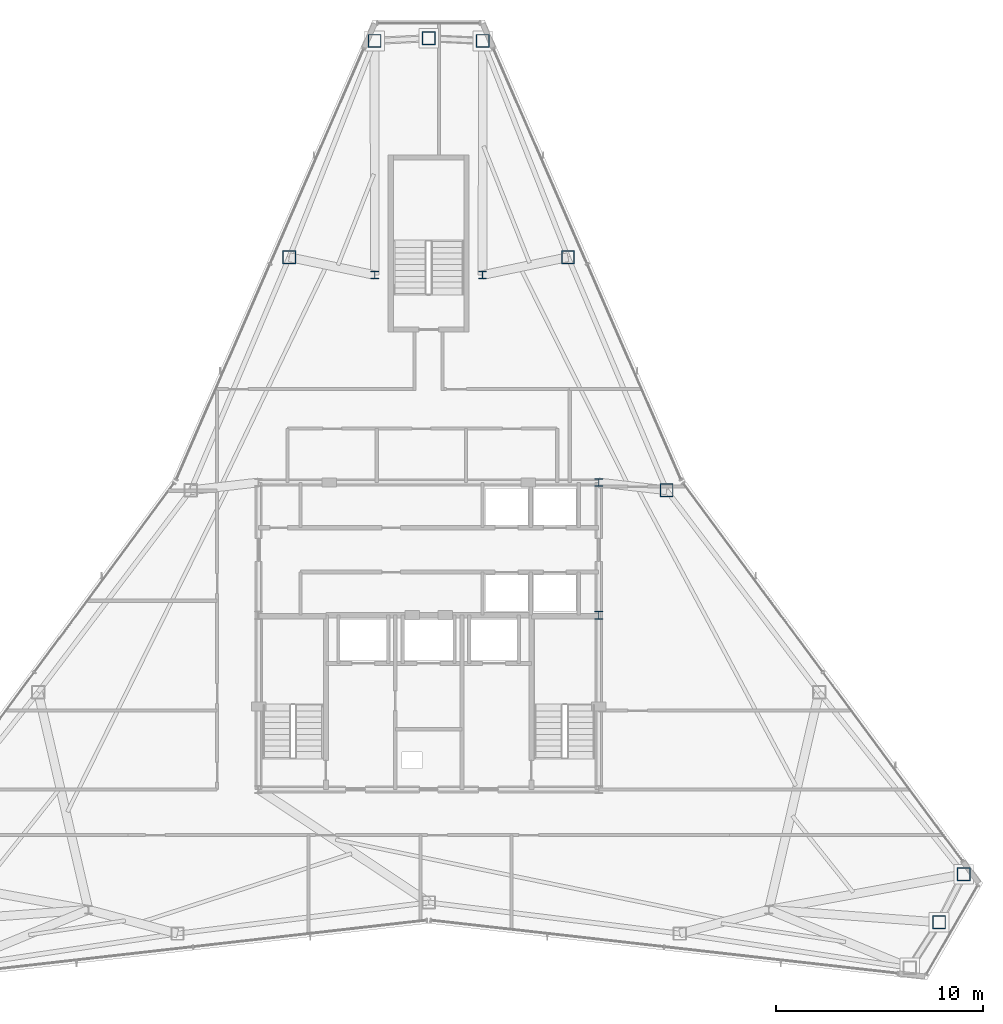
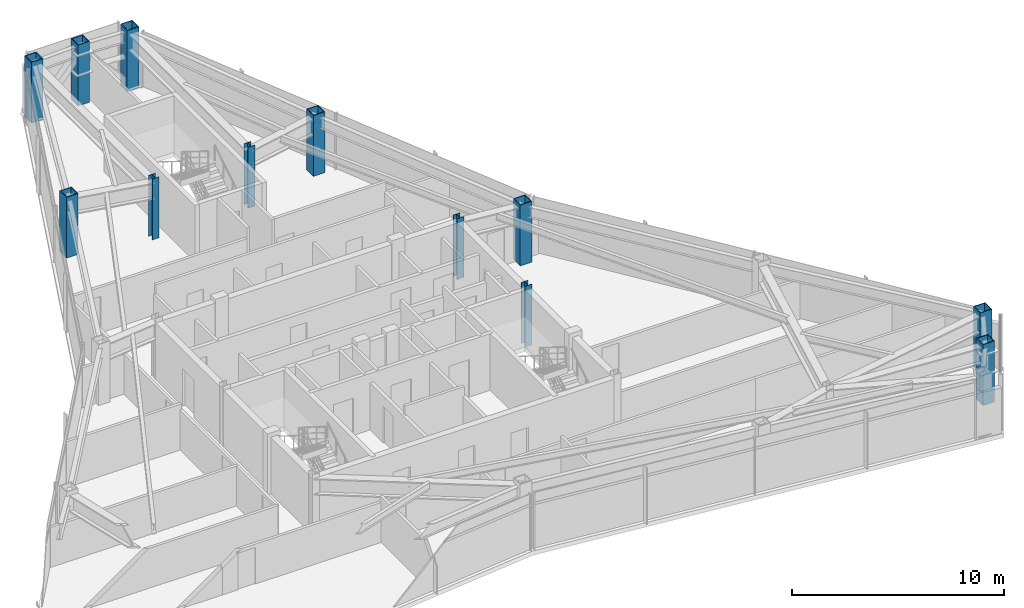
# One storey, part 2 of 12: 12 columns.
"""IFC4 building model written with IfcOpenShell, lengths in metres."""

from ifc_helpers import new_model, si_unit, direction, frame, origin, origin_2d, place, context, subcontext, project, spatial, hollow_rectangle, i_section, extrude, material, material_profile, profile_set, type_object, element, save


model = new_model("IFC4")

# Units and contexts
model_context = context("Model", 3, precision=1e-05, world=origin(), true_north=direction((0.0, 1.0)))
body_context = subcontext(model_context, "Body", "Model", "MODEL_VIEW")
ifc_project = project(units=[si_unit("LENGTHUNIT", "METRE"), si_unit("AREAUNIT", "SQUARE_METRE"), si_unit("VOLUMEUNIT", "CUBIC_METRE"), si_unit("PLANEANGLEUNIT", "RADIAN"), si_unit("MASSUNIT", "GRAM", prefix="KILO")], contexts=[model_context])

# Site, building, storey
site_placement = place(None, origin())
site = spatial("IfcSite", under=ifc_project, at=site_placement, CompositionType="ELEMENT")
building_placement = place(site_placement, origin())
building = spatial("IfcBuilding", under=site, at=building_placement, Name="Varakhsha Concourse Tower", CompositionType="ELEMENT")
storey_placement = place(building_placement, frame((0.0, 0.0, 276.0)))
storey = spatial("IfcBuildingStorey", under=building, at=storey_placement, Name="L78", CompositionType="ELEMENT", Elevation=276.0)

# Columns
ifc_material_1 = material(Name="Structural Steel ASTM A992 Grade 50", Category="steel")
ifc_material_profile_1 = material_profile(ifc_material_1, i_section(OverallWidth=0.3740234375, OverallDepth=0.3720703125, WebThickness=0.01611328125, FlangeThickness=0.02587890625, at=origin_2d()), Name="W14X132")
ifc_profile_set_1 = profile_set([ifc_material_profile_1], Name="Structural Steel ASTM A992 Grade 50")
column_type_1 = type_object("IfcColumnType", Name="CL-CORE-W14X132", PredefinedType="COLUMN", material=ifc_profile_set_1)
for number, where, z_axis, x_axis, name in (
    (1, (48.199951171875, 24.800048828125, 0.0), (0.0, 0.0, 1.0), (1.0, 0.0, 0.0), "L78 Core Column CC-ME"),
    (2, (48.199951171875, 31.199951171875, 0.0), (0.0, 0.0, 1.0), (1.0, 0.0, 0.0), "L78 Core Column CC-NE"),
    (3, (37.39990234375, 41.199951171875, 0.0), (0.0, 0.0, 1.0), (1.0, 0.0, 0.0), "L78 Core Column NS-W"),
    (4, (42.60009765625, 41.199951171875, 0.0), (0.0, 0.0, 1.0), (1.0, 0.0, 0.0), "L78 Core Column NS-E"),
):
    element("IfcColumn", number, at=place(storey_placement, frame(where, z_axis=z_axis, x_axis=x_axis)), inside=storey, type_object=column_type_1, Name=name, PredefinedType="COLUMN", context=body_context, shape_type="SweptSolid", body=[
        extrude(i_section(OverallWidth=0.3740234375, OverallDepth=0.3720703125, WebThickness=0.01611328125, FlangeThickness=0.02587890625, at=origin_2d()), origin(), (0.0, 0.0, 1.0), 3.5),
    ])
ifc_material_2 = material(Name="Structural Steel ASTM A572 Grade 50", Category="steel")
ifc_material_profile_2 = material_profile(ifc_material_2, hollow_rectangle(XDim=0.639892578125, YDim=0.639892578125, WallThickness=0.044921875, at=origin_2d()), Name="BOX 640x640x45")
ifc_profile_set_2 = profile_set([ifc_material_profile_2], Name="Structural Steel ASTM A572 Grade 50")
column_type_2 = type_object("IfcColumnType", Name="CL-TUBE-640", PredefinedType="COLUMN", material=ifc_profile_set_2)
for number, where, z_axis, x_axis, name in (
    (5, (42.607177734375, 52.489013671875, 0.0), (0.0, 0.0, 1.0), (1.0, 0.0, 0.0), "L78 Framed-Tube Column TC01"),
    (6, (40.0, 52.61669921875, 0.0), (0.0, 0.0, 1.0), (1.0, 0.0, 0.0), "L78 Framed-Tube Column TC02"),
    (7, (37.392822265625, 52.489013671875, 0.0), (0.0, 0.0, 1.0), (1.0, 0.0, 0.0), "L78 Framed-Tube Column TC03"),
    (8, (33.28271484375, 42.06201171875, 0.0), (0.0, 0.0, 1.0), (1.0, 0.0, 0.0), "L78 Framed-Tube Column TC04"),
    (9, (64.609619140625, 9.99169921875, 0.0), (0.0, 0.0, 1.0), (1.0, 0.0, 0.0), "L78 Framed-Tube Column TC14"),
    (10, (65.802490234375, 12.313232421875, 0.0), (0.0, 0.0, 1.0), (1.0, 0.0, 0.0), "L78 Framed-Tube Column TC15"),
    (11, (51.471923828125, 30.8232421875, 0.0), (0.0, 0.0, 1.0), (1.0, 0.0, 0.0), "L78 Framed-Tube Column TC17"),
    (12, (46.71728515625, 42.06201171875, 0.0), (0.0, 0.0, 1.0), (1.0, 0.0, 0.0), "L78 Framed-Tube Column TC18"),
):
    element("IfcColumn", number, at=place(storey_placement, frame(where, z_axis=z_axis, x_axis=x_axis)), inside=storey, type_object=column_type_2, Name=name, PredefinedType="COLUMN", context=body_context, shape_type="SweptSolid", body=[
        extrude(hollow_rectangle(XDim=0.639892578125, YDim=0.639892578125, WallThickness=0.044921875, at=origin_2d()), origin(), (0.0, 0.0, 1.0), 3.5),
    ])

save(model, "model.ifc")
